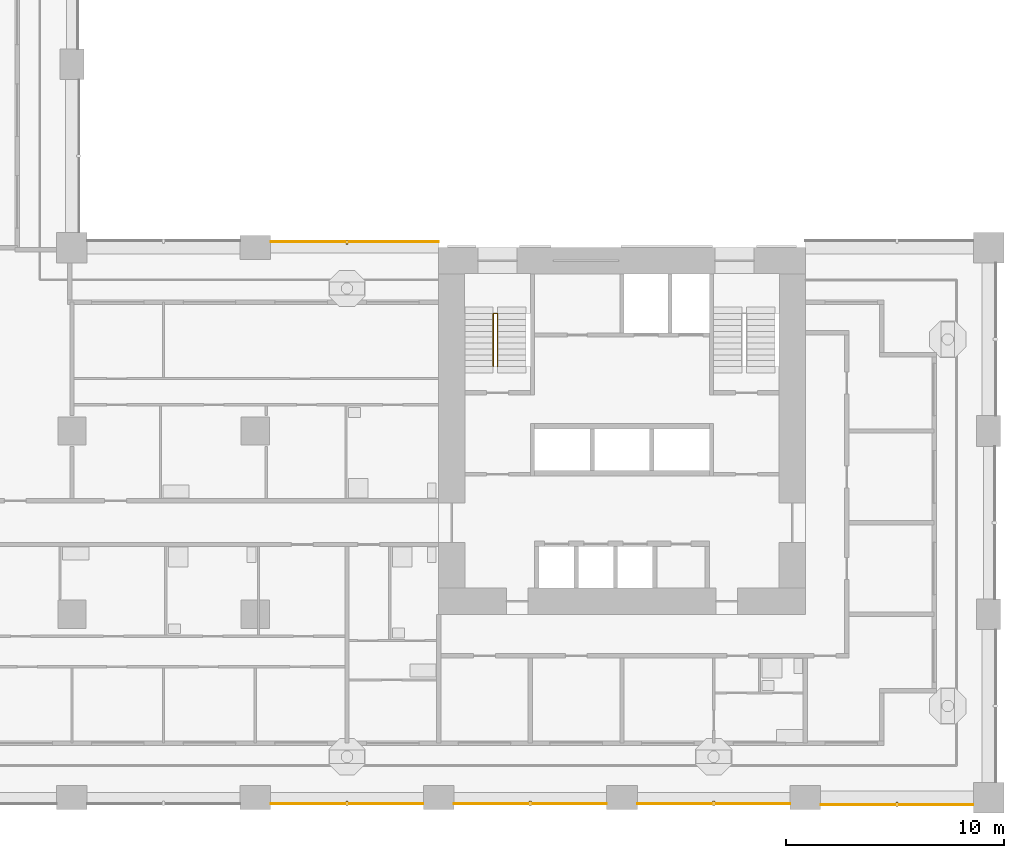
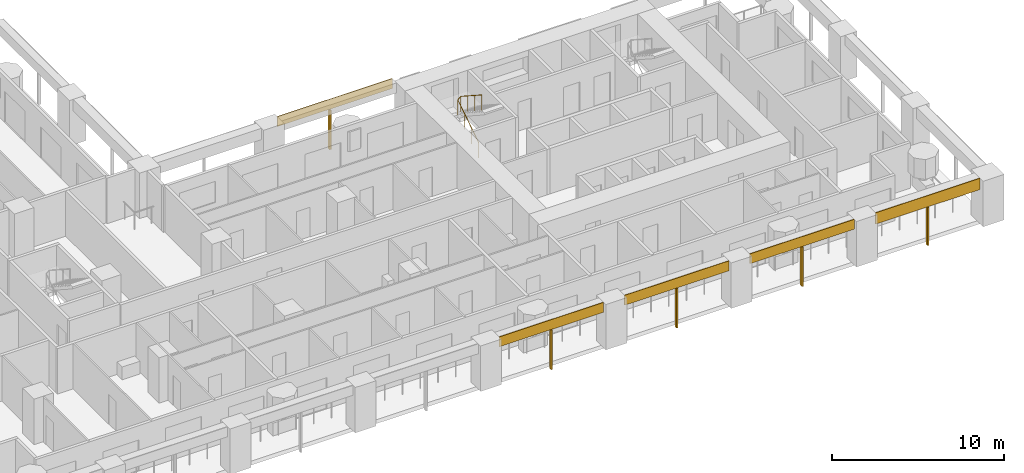
# One storey, part 11 of 19: 10 shading devices, 1 railing.
"""IFC4 building model written with IfcOpenShell, lengths in metres."""

from ifc_helpers import new_model, si_unit, direction, frame, origin, origin_2d, place, context, subcontext, project, spatial, rectangle, circle, extrude, material, layer, layer_set, material_profile, profile_set, type_object, element, save


model = new_model("IFC4")

# Units and contexts
model_context = context("Model", 3, precision=1e-05, world=origin(), true_north=direction((0.0, 1.0)))
body_context = subcontext(model_context, "Body", "Model", "MODEL_VIEW")
ifc_project = project(units=[si_unit("LENGTHUNIT", "METRE"), si_unit("AREAUNIT", "SQUARE_METRE"), si_unit("VOLUMEUNIT", "CUBIC_METRE"), si_unit("PLANEANGLEUNIT", "RADIAN"), si_unit("MASSUNIT", "GRAM", prefix="KILO")], contexts=[model_context])

# Site, building, storey
site_placement = place(None, origin())
site = spatial("IfcSite", under=ifc_project, at=site_placement, CompositionType="ELEMENT")
building_placement = place(site_placement, origin())
building = spatial("IfcBuilding", under=site, at=building_placement, Name="Vermilion Gate Residences", CompositionType="ELEMENT")
storey_placement = place(building_placement, frame((0.0, 0.0, 32.199951171875)))
storey = spatial("IfcBuildingStorey", under=building, at=storey_placement, Name="L06", CompositionType="ELEMENT", Elevation=32.199951171875)

# Shading devices
ifc_material_1 = material(Name="Perforated terracotta", Category="masonry")
ifc_layer = layer(ifc_material_1, 0.0400390625)
ifc_layer_set = layer_set([ifc_layer], Name="PERFORATED TERRACOTTA SCREEN 40")
shading_device_type_1 = type_object("IfcShadingDeviceType", Name="PERFORATED TERRACOTTA SCREEN 40", PredefinedType="SHUTTER", material=ifc_layer_set)
for number, where, z_axis, x_axis, name in (
    (1, (37.800048828125, -0.27001953125, 2.52001953125), (0.0, 0.0, 1.0), (1.0, 0.0, 0.0), "SCREEN"),
    (2, (46.199951171875, -0.27001953125, 2.52001953125), (0.0, 0.0, 1.0), (1.0, 0.0, 0.0), "SCREEN"),
    (3, (54.60009765625, -0.27001953125, 2.52001953125), (0.0, 0.0, 1.0), (1.0, 0.0, 0.0), "SCREEN"),
):
    element("IfcShadingDevice", number, at=place(storey_placement, frame(where, z_axis=z_axis, x_axis=x_axis)), inside=storey, type_object=shading_device_type_1, Name=name, PredefinedType="SHUTTER", context=body_context, shape_type="SweptSolid", body=[
        extrude(rectangle(XDim=7.0, YDim=0.0400390625, at=origin_2d()), origin(), (0.0, 0.0, 1.0), 0.699951171875),
    ])
shading_device_1_placement = place(storey_placement, frame((63.0, -0.320068359375, 2.419921875), z_axis=(0.0, 0.0, 1.0), x_axis=(1.0, 0.0, 0.0)))
element("IfcShadingDevice", 4, at=shading_device_1_placement, inside=storey, type_object=shading_device_type_1, Name="SCREEN", PredefinedType="SHUTTER", context=body_context, shape_type="SweptSolid", body=[
    extrude(rectangle(XDim=7.0, YDim=0.0400390625, at=origin_2d()), origin(), (0.0, 0.0, 1.0), 0.800048828125),
])
shading_device_2_placement = place(storey_placement, frame((38.14990234375, 25.469970703125, 2.52001953125), z_axis=(0.0, 0.0, 1.0), x_axis=(-1.0, 0.0, 0.0)))
element("IfcShadingDevice", 5, at=shading_device_2_placement, inside=storey, type_object=shading_device_type_1, Name="SCREEN", PredefinedType="SHUTTER", context=body_context, shape_type="SweptSolid", body=[
    extrude(rectangle(XDim=7.699951171875, YDim=0.0400390625, at=origin_2d()), origin(), (0.0, 0.0, 1.0), 0.699951171875),
])

# Railing
ifc_material_2 = material(Name="Steel S355", Category="steel")
railing_type = type_object("IfcRailingType", Name="STAIR GUARD 1100 STEEL", PredefinedType="GUARDRAIL", material=ifc_material_2)
railing_placement = place(storey_placement, frame((44.5, 19.75, 0.175048828125)))
element("IfcRailing", 6, at=railing_placement, inside=storey, type_object=railing_type, Name="Stair well guard STA1-06", PredefinedType="GUARDRAIL", context=body_context, shape_type="SweptSolid", body=[
    extrude(circle(Radius=0.02392578125, at=origin_2d()), frame((0.0, 0.0, 1.076171875), z_axis=(0.0, 0.839153699163, 0.543894354798), x_axis=(-1.0, 0.0, 0.0)), (0.0, 0.0, 1.0), 2.895751953125),
    extrude(circle(Radius=0.02392578125, at=origin_2d()), frame((0.0, 2.429931640625, 2.65087890625), z_axis=(0.752405939678, 0.0, 0.658699705433), x_axis=(0.0, 1.0, 0.0)), (0.0, 0.0, 1.0), 0.265869140625),
    extrude(circle(Radius=0.02392578125, at=origin_2d()), frame((0.199951171875, 2.429931640625, 2.826171875), z_axis=(0.0, -0.839153699163, 0.543894354798), x_axis=(1.0, 0.0, 0.0)), (0.0, 0.0, 1.0), 2.895751953125),
    extrude(circle(Radius=0.02099609375, at=origin_2d()), origin(), (0.0, 0.0, 1.0), 1.052001953125),
    extrude(circle(Radius=0.02099609375, at=origin_2d()), frame((0.0, 0.81005859375, 0.52490234375)), (0.0, 0.0, 1.0), 1.052001953125),
    extrude(circle(Radius=0.02099609375, at=origin_2d()), frame((0.0, 1.619873046875, 1.050048828125)), (0.0, 0.0, 1.0), 1.052001953125),
    extrude(circle(Radius=0.02099609375, at=origin_2d()), frame((0.0, 2.429931640625, 1.574951171875)), (0.0, 0.0, 1.0), 1.052001953125),
    extrude(circle(Radius=0.02099609375, at=origin_2d()), frame((0.199951171875, 2.429931640625, 1.75)), (0.0, 0.0, 1.0), 1.052001953125),
    extrude(circle(Radius=0.02099609375, at=origin_2d()), frame((0.199951171875, 1.619873046875, 2.27490234375)), (0.0, 0.0, 1.0), 1.052001953125),
    extrude(circle(Radius=0.02099609375, at=origin_2d()), frame((0.199951171875, 0.81005859375, 2.800048828125)), (0.0, 0.0, 1.0), 1.052001953125),
    extrude(circle(Radius=0.02099609375, at=origin_2d()), frame((0.199951171875, 0.0, 3.324951171875)), (0.0, 0.0, 1.0), 1.052001953125),
])

# Shading devices
ifc_material_3 = material(Name="Extruded terracotta", Category="masonry")
ifc_material_profile = material_profile(ifc_material_3, rectangle(XDim=0.199951171875, YDim=0.10009765625, at=origin_2d()), Name="BAGUETTE 100 X 200")
ifc_profile_set = profile_set([ifc_material_profile], Name="Extruded terracotta")
shading_device_type_2 = type_object("IfcShadingDeviceType", Name="TERRACOTTA BAGUETTE 100 X 200", PredefinedType="JALOUSIE", material=ifc_profile_set)
for number, where, z_axis, x_axis, name in (
    (7, (37.800048828125, -0.25, -0.280029296875), (0.0, 0.0, 1.0), (0.0, 1.0, 0.0), "BAGUETTE"),
    (8, (46.199951171875, -0.25, -0.280029296875), (0.0, 0.0, 1.0), (0.0, 1.0, 0.0), "BAGUETTE"),
    (9, (54.60009765625, -0.25, -0.280029296875), (0.0, 0.0, 1.0), (0.0, 1.0, 0.0), "BAGUETTE"),
):
    element("IfcShadingDevice", number, at=place(storey_placement, frame(where, z_axis=z_axis, x_axis=x_axis)), inside=storey, type_object=shading_device_type_2, Name=name, PredefinedType="JALOUSIE", context=body_context, shape_type="SweptSolid", body=[
        extrude(rectangle(XDim=0.199951171875, YDim=0.10009765625, at=origin_2d()), origin(), (0.0, 0.0, 1.0), 2.800048828125),
    ])
shading_device_3_placement = place(storey_placement, frame((63.0, -0.300048828125, -0.280029296875), z_axis=(0.0, 0.0, 1.0), x_axis=(0.0, 1.0, 0.0)))
element("IfcShadingDevice", 10, at=shading_device_3_placement, inside=storey, type_object=shading_device_type_2, Name="BAGUETTE", PredefinedType="JALOUSIE", context=body_context, shape_type="SweptSolid", body=[
    extrude(rectangle(XDim=0.199951171875, YDim=0.10009765625, at=origin_2d()), origin(), (0.0, 0.0, 1.0), 2.7001953125),
])
shading_device_4_placement = place(storey_placement, frame((37.800048828125, 25.449951171875, -0.280029296875), z_axis=(0.0, 0.0, 1.0), x_axis=(0.0, -1.0, 0.0)))
element("IfcShadingDevice", 11, at=shading_device_4_placement, inside=storey, type_object=shading_device_type_2, Name="BAGUETTE", PredefinedType="JALOUSIE", context=body_context, shape_type="SweptSolid", body=[
    extrude(rectangle(XDim=0.199951171875, YDim=0.10009765625, at=origin_2d()), origin(), (0.0, 0.0, 1.0), 2.800048828125),
])

save(model, "model.ifc")
